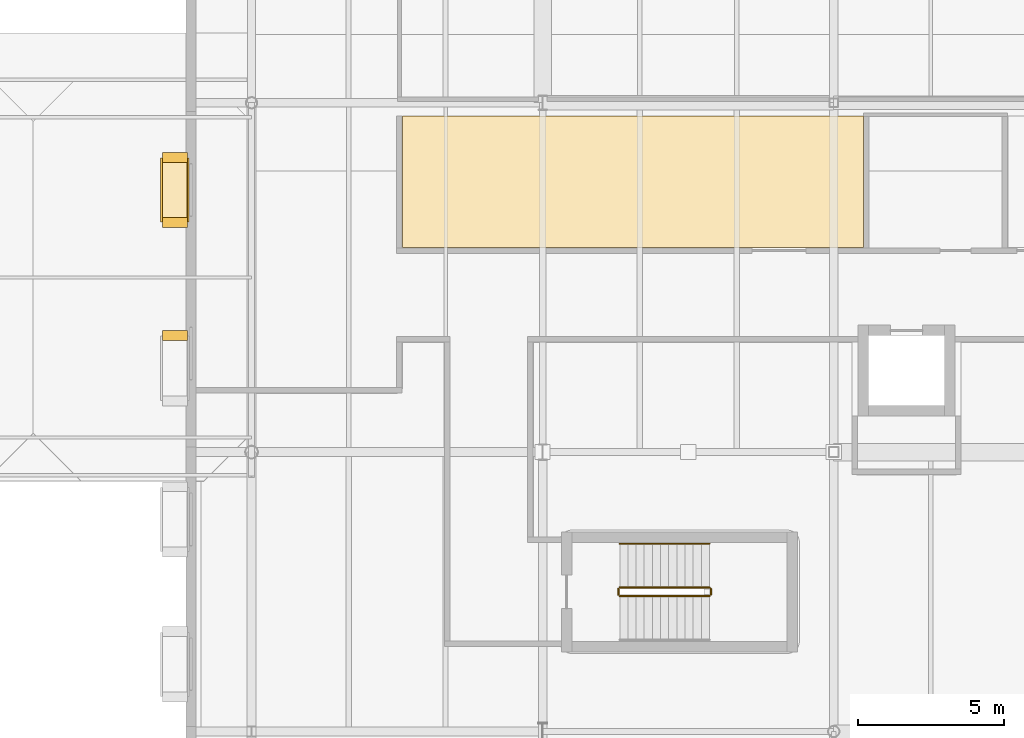
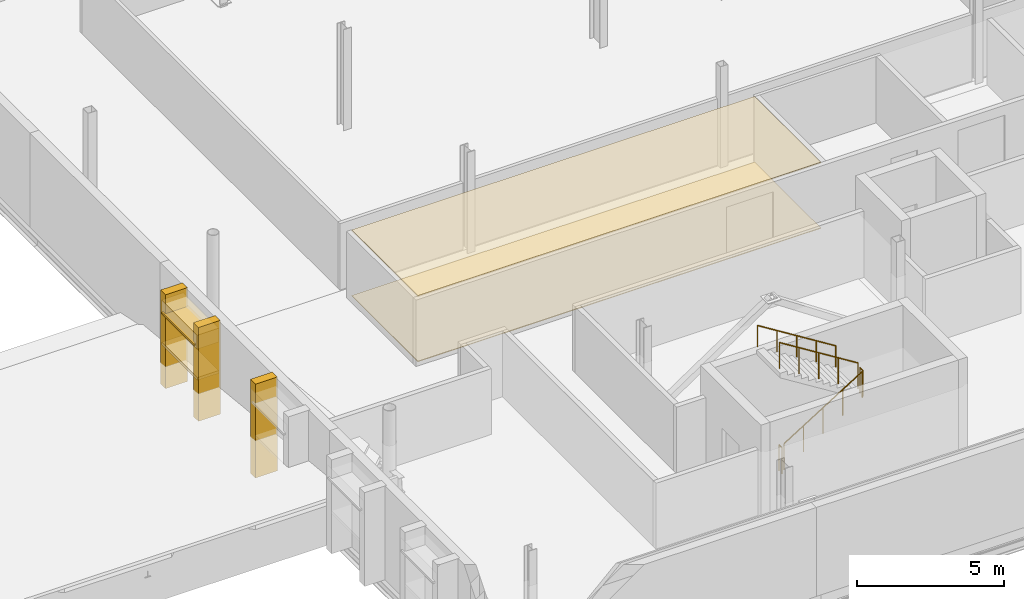
# One storey, part 82 of 90: 7 coverings, 5 railings, 1 shading device.
"""IFC4 building model written with IfcOpenShell, lengths in metres."""

from ifc_helpers import new_model, si_unit, direction, frame, origin, origin_2d, place, context, subcontext, project, spatial, polyline, rectangle, circle, outline, extrude, material, layer, layer_set, type_object, element, save


model = new_model("IFC4")

# Units and contexts
model_context = context("Model", 3, precision=1e-05, world=origin(), true_north=direction((0.0, 1.0)))
body_context = subcontext(model_context, "Body", "Model", "MODEL_VIEW")
ifc_project = project(units=[si_unit("LENGTHUNIT", "METRE"), si_unit("AREAUNIT", "SQUARE_METRE"), si_unit("VOLUMEUNIT", "CUBIC_METRE"), si_unit("PLANEANGLEUNIT", "RADIAN"), si_unit("MASSUNIT", "GRAM", prefix="KILO")], contexts=[model_context])

# Site, building, storey
site_placement = place(None, origin())
site = spatial("IfcSite", under=ifc_project, at=site_placement, CompositionType="ELEMENT")
building_placement = place(site_placement, origin())
building = spatial("IfcBuilding", under=site, at=building_placement, Name="Zereglee Splitstone Museum", CompositionType="ELEMENT")
storey_placement = place(building_placement, frame((0.0, 0.0, 4.800048828125)))
storey = spatial("IfcBuildingStorey", under=building, at=storey_placement, Name="L01", CompositionType="ELEMENT", Elevation=4.800048828125)

# Coverings
ifc_material_1 = material(Name="Siberian larch acoustic timber ceiling", Category="wood")
ifc_layer_1 = layer(ifc_material_1, 0.06005859375)
ifc_layer_set_1 = layer_set([ifc_layer_1], Name="Siberian larch acoustic timber ceiling")
covering_type_1 = type_object("IfcCoveringType", Name="CLG-01", PredefinedType="CEILING", material=ifc_layer_set_1)
covering_1_placement = place(storey_placement, frame((0.0, 0.0, 2.699951171875)))
element("IfcCovering", 1, at=covering_1_placement, inside=storey, type_object=covering_type_1, Name="Acoustic Ceiling L01-029", PredefinedType="CEILING", context=body_context, shape_type="SweptSolid", body=[
    extrude(outline(polyline([(196.219970703125, 16.6298828125), (180.3798828125, 16.6298828125), (180.3798828125, 21.139892578125), (196.219970703125, 21.139892578125), (196.219970703125, 16.6298828125)])), origin(), (0.0, 0.0, 1.0), 0.06005859375),
])
ifc_material_2 = material(Name="Honed Gobi pale limestone stringcourse and soffit cladding", Category="masonry")
ifc_layer_2 = layer(ifc_material_2, 0.070068359375)
ifc_layer_set_2 = layer_set([ifc_layer_2], Name="Honed Gobi pale limestone stringcourse and soffit cladding")
covering_type_2 = type_object("IfcCoveringType", Name="CL-02", PredefinedType="CLADDING", material=ifc_layer_set_2)
for number, where, z_axis, x_axis, name in (
    (2, (172.574951171875, 19.719970703125, 0.0), (0.0, 0.0, 1.0), (0.0, -1.0, 0.0), "Mughal Window Reveal Stone Pilaster L01-0001L"),
    (3, (172.574951171875, 17.47998046875, 0.0), (0.0, 0.0, 1.0), (0.0, -1.0, 0.0), "Mughal Window Reveal Stone Pilaster L01-0001R"),
):
    element("IfcCovering", number, at=place(storey_placement, frame(where, z_axis=z_axis, x_axis=x_axis)), inside=storey, type_object=covering_type_2, Name=name, PredefinedType="CLADDING", context=body_context, shape_type="SweptSolid", body=[
        extrude(rectangle(XDim=0.340087890625, YDim=0.860107421875, at=origin_2d()), origin(), (0.0, 0.0, 1.0), 3.89990234375),
    ])
covering_2_placement = place(storey_placement, frame((172.56494140625, 18.60009765625, 1.659912109375), z_axis=(0.0, 0.0, 1.0), x_axis=(0.0, -1.0, 0.0)))
element("IfcCovering", 4, at=covering_2_placement, inside=storey, type_object=covering_type_2, Name="Carved Limestone Window Sill L01-0001", PredefinedType="CLADDING", context=body_context, shape_type="SweptSolid", body=[
    extrude(rectangle(XDim=2.43994140625, YDim=0.840087890625, at=origin_2d()), origin(), (0.0, 0.0, 1.0), 0.1201171875),
])
covering_3_placement = place(storey_placement, frame((172.574951171875, 13.60009765625, 0.0), z_axis=(0.0, 0.0, 1.0), x_axis=(0.0, -1.0, 0.0)))
element("IfcCovering", 5, at=covering_3_placement, inside=storey, type_object=covering_type_2, Name="Mughal Window Reveal Stone Pilaster L01-0002L", PredefinedType="CLADDING", context=body_context, shape_type="SweptSolid", body=[
    extrude(rectangle(XDim=0.340087890625, YDim=0.860107421875, at=origin_2d()), origin(), (0.0, 0.0, 1.0), 3.89990234375),
])
ifc_material_3 = material(Name="Honed Khoroo red sandstone ventilated rainscreen", Category="masonry")
ifc_layer_3 = layer(ifc_material_3, 0.080078125)
ifc_layer_set_3 = layer_set([ifc_layer_3], Name="Honed Khoroo red sandstone ventilated rainscreen")
covering_type_3 = type_object("IfcCoveringType", Name="CL-01", PredefinedType="CLADDING", material=ifc_layer_set_3)
covering_4_placement = place(storey_placement, frame((172.56494140625, 18.60009765625, 2.9599609375), z_axis=(0.0, 0.0, 1.0), x_axis=(0.0, -1.0, 0.0)))
element("IfcCovering", 6, at=covering_4_placement, inside=storey, type_object=covering_type_3, Name="Pointed-Arch Mughal Window Hood L01-0001", PredefinedType="CLADDING", context=body_context, shape_type="SweptSolid", body=[
    extrude(rectangle(XDim=2.43994140625, YDim=0.860107421875, at=origin_2d()), origin(), (0.0, 0.0, 1.0), 0.580078125),
])
ifc_material_4 = material(Name="Honed Gobi granite terrazzo flooring", Category="masonry")
ifc_layer_4 = layer(ifc_material_4, 0.030029296875)
ifc_layer_set_4 = layer_set([ifc_layer_4], Name="Honed Gobi granite terrazzo flooring")
covering_type_4 = type_object("IfcCoveringType", Name="FLR-01", PredefinedType="FLOORING", material=ifc_layer_set_4)
covering_5_placement = place(storey_placement, origin())
element("IfcCovering", 7, at=covering_5_placement, inside=storey, type_object=covering_type_4, Name="Terrazzo Gallery Flooring L01-018", PredefinedType="FLOORING", context=body_context, shape_type="SweptSolid", body=[
    extrude(outline(polyline([(196.219970703125, 16.6298828125), (180.3798828125, 16.6298828125), (180.3798828125, 21.139892578125), (196.219970703125, 21.139892578125), (196.219970703125, 16.6298828125)])), origin(), (0.0, 0.0, 1.0), 0.030029296875),
])

# Railings
ifc_material_5 = material(Name="Painted steel S355J2 post-and-baluster guard", Category="steel")
railing_type_1 = type_object("IfcRailingType", Name="GR-03", PredefinedType="BALUSTRADE", material=ifc_material_5)
railing_1_placement = place(storey_placement, frame((187.85009765625, 4.64990234375, 0.175048828125)))
element("IfcRailing", 8, at=railing_1_placement, inside=storey, type_object=railing_type_1, Name="L01 ST-04 stair guard 1", PredefinedType="BALUSTRADE", context=body_context, shape_type="SweptSolid", body=[
    extrude(circle(Radius=0.02392578125, at=origin_2d()), frame((0.0, 0.0, 1.076416015625), z_axis=(0.848009633417, 0.0, 0.529980812513), x_axis=(0.0, 1.0, 0.0)), (0.0, 0.0, 1.0), 3.6318359375),
    extrude(circle(Radius=0.02099609375, at=origin_2d()), origin(), (0.0, 0.0, 1.0), 1.052001953125),
    extrude(circle(Radius=0.02099609375, at=origin_2d()), frame((0.77001953125, 0.0, 0.481201171875)), (0.0, 0.0, 1.0), 1.052001953125),
    extrude(circle(Radius=0.02099609375, at=origin_2d()), frame((1.5400390625, 0.0, 0.96240234375)), (0.0, 0.0, 1.0), 1.052001953125),
    extrude(circle(Radius=0.02099609375, at=origin_2d()), frame((2.309814453125, 0.0, 1.443603515625)), (0.0, 0.0, 1.0), 1.052001953125),
    extrude(circle(Radius=0.02099609375, at=origin_2d()), frame((3.079833984375, 0.0, 1.9248046875)), (0.0, 0.0, 1.0), 1.052001953125),
])
railing_2_placement = place(storey_placement, frame((190.97998046875, 4.699951171875, 2.099853515625)))
element("IfcRailing", 9, at=railing_2_placement, inside=storey, type_object=railing_type_1, Name="L01 ST-04 stair guard 2", PredefinedType="BALUSTRADE", context=body_context, shape_type="SweptSolid", body=[
    extrude(circle(Radius=0.02392578125, at=origin_2d()), frame((0.0, 0.0, 1.076416015625), z_axis=(0.0, 1.0, 0.0), x_axis=(-1.0, 0.0, 0.0)), (0.0, 0.0, 1.0), 0.199951171875),
    extrude(circle(Radius=0.02099609375, at=origin_2d()), origin(), (0.0, 0.0, 1.0), 1.052001953125),
    extrude(circle(Radius=0.02099609375, at=origin_2d()), frame((0.0, 0.199951171875, 0.0)), (0.0, 0.0, 1.0), 1.052001953125),
])
railing_3_placement = place(storey_placement, frame((190.929931640625, 4.949951171875, 2.27490234375)))
element("IfcRailing", 10, at=railing_3_placement, inside=storey, type_object=railing_type_1, Name="L01 ST-04 stair guard 3", PredefinedType="BALUSTRADE", context=body_context, shape_type="SweptSolid", body=[
    extrude(circle(Radius=0.02392578125, at=origin_2d()), frame((0.0, 0.0, 1.076416015625), z_axis=(-0.847979421464, 0.0, 0.530029150871), x_axis=(0.0, -1.0, 0.0)), (0.0, 0.0, 1.0), 3.632080078125),
    extrude(circle(Radius=0.02099609375, at=origin_2d()), origin(), (0.0, 0.0, 1.0), 1.052001953125),
    extrude(circle(Radius=0.02099609375, at=origin_2d()), frame((-0.77001953125, 0.0, 0.481201171875)), (0.0, 0.0, 1.0), 1.052001953125),
    extrude(circle(Radius=0.02099609375, at=origin_2d()), frame((-1.5400390625, 0.0, 0.96240234375)), (0.0, 0.0, 1.0), 1.052001953125),
    extrude(circle(Radius=0.02099609375, at=origin_2d()), frame((-2.309814453125, 0.0, 1.44384765625)), (0.0, 0.0, 1.0), 1.052001953125),
    extrude(circle(Radius=0.02099609375, at=origin_2d()), frame((-3.079833984375, 0.0, 1.925048828125)), (0.0, 0.0, 1.0), 1.052001953125),
])
railing_4_placement = place(storey_placement, frame((187.800048828125, 4.699951171875, 0.0)))
element("IfcRailing", 11, at=railing_4_placement, inside=storey, type_object=railing_type_1, Name="L01 ST-04 stair guard 4", PredefinedType="BALUSTRADE", context=body_context, shape_type="SweptSolid", body=[
    extrude(circle(Radius=0.02392578125, at=origin_2d()), frame((0.0, 0.0, 1.076416015625), z_axis=(0.0, 1.0, 0.0), x_axis=(-1.0, 0.0, 0.0)), (0.0, 0.0, 1.0), 0.199951171875),
    extrude(circle(Radius=0.02099609375, at=origin_2d()), origin(), (0.0, 0.0, 1.0), 1.052001953125),
    extrude(circle(Radius=0.02099609375, at=origin_2d()), frame((0.0, 0.199951171875, 0.0)), (0.0, 0.0, 1.0), 1.052001953125),
])
ifc_material_6 = material(Name="Architectural bronze tubular handrail", Category="steel")
railing_type_2 = type_object("IfcRailingType", Name="HR-01", PredefinedType="HANDRAIL", material=ifc_material_6)
railing_5_placement = place(storey_placement, frame((190.929931640625, 6.449951171875, 2.27490234375)))
element("IfcRailing", 12, at=railing_5_placement, inside=storey, type_object=railing_type_2, Name="L01 ST-04 stair handrail 2", PredefinedType="HANDRAIL", context=body_context, shape_type="SweptSolid", body=[
    extrude(circle(Radius=0.02392578125, at=origin_2d()), frame((0.0, 0.0, 0.8759765625), z_axis=(-0.847979421464, 0.0, 0.530029150871), x_axis=(0.0, -1.0, 0.0)), (0.0, 0.0, 1.0), 3.632080078125),
    extrude(circle(Radius=0.02099609375, at=origin_2d()), origin(), (0.0, 0.0, 1.0), 0.851806640625),
    extrude(circle(Radius=0.02099609375, at=origin_2d()), frame((-0.77001953125, 0.0, 0.481201171875)), (0.0, 0.0, 1.0), 0.851806640625),
    extrude(circle(Radius=0.02099609375, at=origin_2d()), frame((-1.5400390625, 0.0, 0.96240234375)), (0.0, 0.0, 1.0), 0.851806640625),
    extrude(circle(Radius=0.02099609375, at=origin_2d()), frame((-2.309814453125, 0.0, 1.44384765625)), (0.0, 0.0, 1.0), 0.851806640625),
    extrude(circle(Radius=0.02099609375, at=origin_2d()), frame((-3.079833984375, 0.0, 1.925048828125)), (0.0, 0.0, 1.0), 0.851806640625),
])

# Shading device
ifc_material_7 = material(Name="Anodised bronze extruded aluminium chhajja brise-soleil", Category="aluminium")
ifc_layer_5 = layer(ifc_material_7, 0.080078125)
ifc_layer_set_5 = layer_set([ifc_layer_5], Name="Anodised bronze extruded aluminium chhajja brise-soleil")
shading_device_type = type_object("IfcShadingDeviceType", Name="SH-01", PredefinedType="SHUTTER", material=ifc_layer_set_5)
shading_device_placement = place(storey_placement, frame((172.56494140625, 18.60009765625, 3.039794921875), z_axis=(0.0, 0.0, 1.0), x_axis=(0.0, -1.0, 0.0)))
element("IfcShadingDevice", 13, at=shading_device_placement, inside=storey, type_object=shading_device_type, Name="Chhajja Window Brise-Soleil 01", PredefinedType="SHUTTER", context=body_context, shape_type="SweptSolid", body=[
    extrude(rectangle(XDim=2.199951171875, YDim=0.97998046875, at=origin_2d()), origin(), (0.0, 0.0, 1.0), 0.080078125),
])

save(model, "model.ifc")
